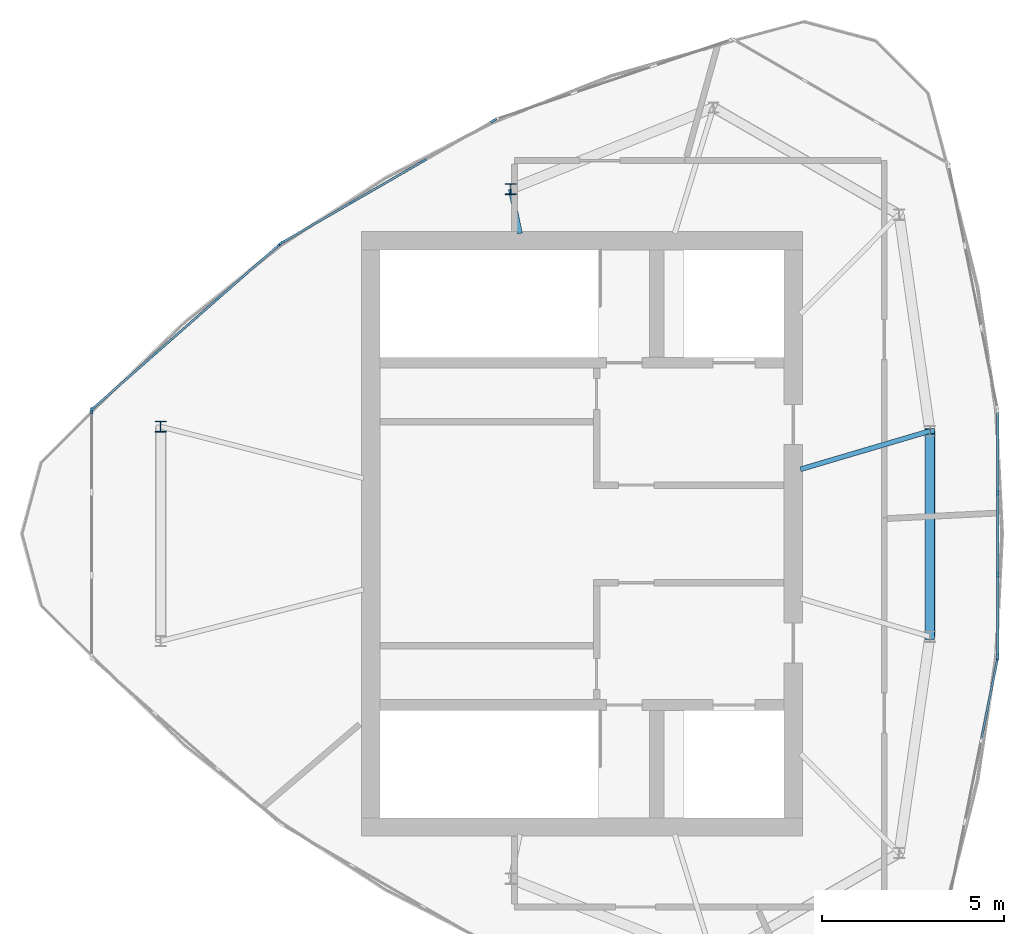
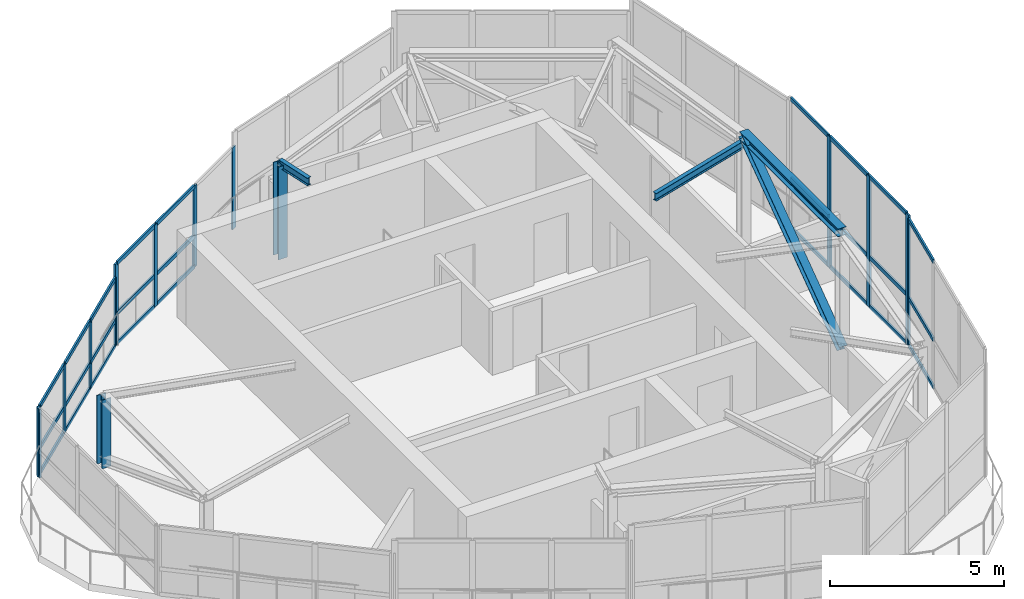
# One storey, part 3 of 9: 46 members, 5 elements without a shape of their own.
"""IFC4 building model written with IfcOpenShell, lengths in metres."""

from ifc_helpers import new_model, si_unit, direction, frame, origin, origin_2d, place, context, subcontext, project, spatial, rectangle, i_section, extrude, source, transform, mapped, material, layer, layer_set, material_profile, profile_set, type_object, element, aggregate, save


model = new_model("IFC4")

# Units and contexts
model_context = context("Model", 3, precision=1e-05, world=origin(), true_north=direction((0.0, 1.0)))
body_context = subcontext(model_context, "Body", "Model", "MODEL_VIEW")
ifc_project = project(units=[si_unit("LENGTHUNIT", "METRE"), si_unit("AREAUNIT", "SQUARE_METRE"), si_unit("VOLUMEUNIT", "CUBIC_METRE"), si_unit("PLANEANGLEUNIT", "RADIAN"), si_unit("MASSUNIT", "GRAM", prefix="KILO")], contexts=[model_context])

# Site, building, storey
site_placement = place(None, origin())
site = spatial("IfcSite", under=ifc_project, at=site_placement, CompositionType="ELEMENT")
building_placement = place(site_placement, origin())
building = spatial("IfcBuilding", under=site, at=building_placement, Name="Qafzar Sky-Pleat Residences", CompositionType="ELEMENT")
storey_placement = place(building_placement, frame((0.0, 0.0, 274.699951171875)))
storey = spatial("IfcBuildingStorey", under=building, at=storey_placement, Name="L81 Crown", CompositionType="ELEMENT", Elevation=274.699951171875)

# Members
ifc_material_1 = material(Name="Steel S355", Category="steel")
ifc_material_profile_1 = material_profile(ifc_material_1, i_section(OverallWidth=0.280029296875, OverallDepth=0.280029296875, WebThickness=0.010498046875, FlangeThickness=0.01806640625, FilletRadius=0.02392578125, at=origin_2d()), Name="HEB 280")
ifc_profile_set_1 = profile_set([ifc_material_profile_1], Name="Steel S355")
member_type_1 = type_object("IfcMemberType", Name="MEM-CROWN-RING", PredefinedType="PURLIN", material=ifc_profile_set_1)
shared_shape_1 = source(origin(), body_context, "Body", "SweptSolid", [
    extrude(i_section(OverallWidth=0.280029296875, OverallDepth=0.280029296875, WebThickness=0.010498046875, FlangeThickness=0.01806640625, FilletRadius=0.02392578125, at=origin_2d()), origin(), (0.0, 0.0, 1.0), 5.64697265625),
])
member_1_placement = place(storey_placement, frame((39.905029296875, 23.176513671875, 4.266845703125), z_axis=(0.0, 1.0, 0.0), x_axis=(-1.0, 0.0, 0.0)))
element("IfcMember", 1, at=member_1_placement, inside=storey, type_object=member_type_1, Name="L81 Crown CROWN FRAME Ring Beam 7", PredefinedType="PURLIN", context=body_context, shape_type="MappedRepresentation", body=[
    mapped(shared_shape_1, transform((0.0, 0.0, 0.0), x_axis=(1.0, 0.0, 0.0), y_axis=(0.0, 1.0, 0.0), z_axis=(0.0, 0.0, 1.0), scale=1.0)),
])
ifc_material_2 = material(Name="Steel S460", Category="steel")
ifc_material_profile_2 = material_profile(ifc_material_2, i_section(OverallWidth=0.300048828125, OverallDepth=0.300048828125, WebThickness=0.010986328125, FlangeThickness=0.01904296875, FilletRadius=0.027099609375, at=origin_2d()), Name="HEB 300")
ifc_profile_set_2 = profile_set([ifc_material_profile_2], Name="Steel S460")
member_type_2 = type_object("IfcMemberType", Name="MEM-CROWN-RIB", PredefinedType="CHORD", material=ifc_profile_set_2)
shared_shape_2 = source(origin(), body_context, "Body", "SweptSolid", [
    extrude(i_section(OverallWidth=0.300048828125, OverallDepth=0.300048828125, WebThickness=0.010986328125, FlangeThickness=0.01904296875, FilletRadius=0.027099609375, at=origin_2d()), origin(), (0.0, 0.0, 1.0), 2.408447265625),
])
member_2_placement = place(storey_placement, frame((18.77783203125, 28.9443359375, 0.0), z_axis=(0.0, 0.0, 1.0), x_axis=(1.0, 0.0, 0.0)))
element("IfcMember", 2, at=member_2_placement, inside=storey, type_object=member_type_2, Name="L81 Crown CROWN FRAME Inclined Rib 1", PredefinedType="CHORD", context=body_context, shape_type="MappedRepresentation", body=[
    mapped(shared_shape_2, transform((0.0, 0.0, 0.0), x_axis=(1.0, 0.0, 0.0), y_axis=(0.0, 1.0, 0.0), z_axis=(0.0, 0.0, 1.0), scale=1.0)),
])
shared_shape_3 = source(origin(), body_context, "Body", "SweptSolid", [
    extrude(i_section(OverallWidth=0.300048828125, OverallDepth=0.300048828125, WebThickness=0.010986328125, FlangeThickness=0.01904296875, FilletRadius=0.027099609375, at=origin_2d()), origin(), (0.0, 0.0, 1.0), 3.249755859375),
])
member_3_placement = place(storey_placement, frame((28.392578125, 35.47021484375, 0.0), z_axis=(0.0, 0.0, 1.0), x_axis=(1.0, 0.0, 0.0)))
element("IfcMember", 3, at=member_3_placement, inside=storey, type_object=member_type_2, Name="L81 Crown CROWN FRAME Inclined Rib 11", PredefinedType="CHORD", context=body_context, shape_type="MappedRepresentation", body=[
    mapped(shared_shape_3, transform((0.0, 0.0, 0.0), x_axis=(1.0, 0.0, 0.0), y_axis=(0.0, 1.0, 0.0), z_axis=(0.0, 0.0, 1.0), scale=1.0)),
])
ifc_material_profile_3 = material_profile(ifc_material_1, i_section(OverallWidth=0.135009765625, OverallDepth=0.27001953125, WebThickness=0.006591796875, FlangeThickness=0.01025390625, FilletRadius=0.014892578125, at=origin_2d()), Name="IPE 270")
ifc_profile_set_3 = profile_set([ifc_material_profile_3], Name="Steel S355")
member_type_3 = type_object("IfcMemberType", Name="MEM-CROWN-TRIM", PredefinedType="PURLIN", material=ifc_profile_set_3)
shared_shape_4 = source(origin(), body_context, "Body", "SweptSolid", [
    extrude(i_section(OverallWidth=0.135009765625, OverallDepth=0.27001953125, WebThickness=0.006591796875, FlangeThickness=0.01025390625, FilletRadius=0.014892578125, at=origin_2d()), origin(), (0.0, 0.0, 1.0), 1.24609375),
])
member_4_placement = place(storey_placement, frame((28.392578125, 35.47021484375, 3.2646484375), z_axis=(0.202404745782, -0.979301954907, 0.0), x_axis=(0.979301954907, 0.202404745782, 0.0)))
element("IfcMember", 4, at=member_4_placement, inside=storey, type_object=member_type_3, Name="L81 Crown CROWN FRAME Radial Purlin 11", PredefinedType="PURLIN", context=body_context, shape_type="MappedRepresentation", body=[
    mapped(shared_shape_4, transform((0.0, 0.0, 0.0), x_axis=(1.0, 0.0, 0.0), y_axis=(0.0, 1.0, 0.0), z_axis=(0.0, 0.0, 1.0), scale=1.0)),
])
shared_shape_5 = source(origin(), body_context, "Body", "SweptSolid", [
    extrude(i_section(OverallWidth=0.135009765625, OverallDepth=0.27001953125, WebThickness=0.006591796875, FlangeThickness=0.01025390625, FilletRadius=0.014892578125, at=origin_2d()), origin(), (0.0, 0.0, 1.0), 3.706787109375),
])
member_5_placement = place(storey_placement, frame((39.905029296875, 28.823486328125, 3.9609375), z_axis=(-0.959001843601, -0.283399830576, 0.0), x_axis=(0.283399830576, -0.959001843601, 0.0)))
element("IfcMember", 5, at=member_5_placement, inside=storey, type_object=member_type_3, Name="L81 Crown CROWN FRAME Radial Purlin 8", PredefinedType="PURLIN", context=body_context, shape_type="MappedRepresentation", body=[
    mapped(shared_shape_5, transform((0.0, 0.0, 0.0), x_axis=(1.0, 0.0, 0.0), y_axis=(0.0, 1.0, 0.0), z_axis=(0.0, 0.0, 1.0), scale=1.0)),
])
ifc_material_profile_4 = material_profile(ifc_material_1, i_section(OverallWidth=0.260009765625, OverallDepth=0.260009765625, WebThickness=0.010009765625, FlangeThickness=0.017578125, FilletRadius=0.02392578125, at=origin_2d()), Name="HEB 260")
ifc_profile_set_4 = profile_set([ifc_material_profile_4], Name="Steel S355")
member_type_4 = type_object("IfcMemberType", Name="MEM-CROWN-DIAG", PredefinedType="BRACE", material=ifc_profile_set_4)
shared_shape_6 = source(origin(), body_context, "Body", "SweptSolid", [
    extrude(i_section(OverallWidth=0.260009765625, OverallDepth=0.260009765625, WebThickness=0.010009765625, FlangeThickness=0.017578125, FilletRadius=0.02392578125, at=origin_2d()), origin(), (0.0, 0.0, 1.0), 6.96484375),
])
member_6_placement = place(storey_placement, frame((39.905029296875, 23.176513671875, 0.199951171875), z_axis=(0.0, 0.810779043398, 0.585352323636), x_axis=(-1.0, 0.0, 0.0)))
element("IfcMember", 6, at=member_6_placement, inside=storey, type_object=member_type_4, Name="L81 Crown CROWN FRAME Wind Brace 7", PredefinedType="BRACE", context=body_context, shape_type="MappedRepresentation", body=[
    mapped(shared_shape_6, transform((0.0, 0.0, 0.0), x_axis=(1.0, 0.0, 0.0), y_axis=(0.0, 1.0, 0.0), z_axis=(0.0, 0.0, 1.0), scale=1.0)),
])

# Curtain wall, member
ifc_material_3 = material(Name="Anodised bronze aluminium framing", Category="aluminium")
ifc_layer = layer(ifc_material_3, 0.179931640625)
ifc_layer_set = layer_set([ifc_layer], Name="Anodised bronze aluminium framing")
curtain_wall_type = type_object("IfcCurtainWallType", Name="CW-SYS-06", PredefinedType="NOTDEFINED", material=ifc_layer_set)
curtain_wall_1_placement = place(storey_placement, origin())
curtain_wall_1 = element("IfcCurtainWall", 7, at=curtain_wall_1_placement, inside=storey, type_object=curtain_wall_type, Name="L81 Crown CW-06 Curtain Wall CW-CROWN-06-01", PredefinedType="NOTDEFINED")
ifc_material_4 = material(Name="Anodised bronze aluminium", Category="aluminium")
ifc_material_profile_5 = material_profile(ifc_material_4, rectangle(XDim=0.06005859375, YDim=0.179931640625, at=origin_2d()), Name="ALU MULLION 60x180")
ifc_profile_set_5 = profile_set([ifc_material_profile_5], Name="Anodised bronze aluminium")
member_type_5 = type_object("IfcMemberType", Name="CWM-06", PredefinedType="MULLION", material=ifc_profile_set_5)
shared_shape_7 = source(origin(), body_context, "Body", "SweptSolid", [
    extrude(rectangle(XDim=0.06005859375, YDim=0.179931640625, at=origin_2d()), origin(), (0.0, 0.0, 1.0), 2.403076171875),
])
member_7_placement = place(storey_placement, frame((16.885498046875, 29.385498046875, 0.0), z_axis=(0.0, 0.0, 1.0), x_axis=(1.0, 0.0, 0.0)))
member_7 = element("IfcMember", 8, at=member_7_placement, type_object=member_type_5, Name="CW-06 mullion 1", PredefinedType="MULLION", context=body_context, shape_type="MappedRepresentation", body=[
    mapped(shared_shape_7, transform((0.0, 0.0, 0.0), x_axis=(1.0, 0.0, 0.0), y_axis=(0.0, 1.0, 0.0), z_axis=(0.0, 0.0, 1.0), scale=1.0)),
])
aggregate(curtain_wall_1, [member_7])

# Curtain wall, members
curtain_wall_2_placement = place(storey_placement, origin())
curtain_wall_2 = element("IfcCurtainWall", 9, at=curtain_wall_2_placement, inside=storey, type_object=curtain_wall_type, Name="L81 Crown CW-06 Curtain Wall CW-CROWN-06-12", PredefinedType="NOTDEFINED")
member_8_placement = place(storey_placement, frame((22.05615234375, 33.959716796875, 0.0), z_axis=(0.0, 0.0, 1.0), x_axis=(0.660137360136, -0.7511449033, 0.0)))
member_8 = element("IfcMember", 10, at=member_8_placement, type_object=member_type_5, Name="CW-06 mullion 1", PredefinedType="MULLION", context=body_context, shape_type="MappedRepresentation", body=[
    mapped(shared_shape_7, transform((0.0, 0.0, 0.0), x_axis=(1.0, 0.0, 0.0), y_axis=(0.0, 1.0, 0.0), z_axis=(0.0, 0.0, 1.0), scale=1.0)),
])
member_9_placement = place(storey_placement, frame((20.34765625, 32.458251953125, 0.0), z_axis=(0.0, 0.0, 1.0), x_axis=(0.660137360136, -0.7511449033, 0.0)))
member_9 = element("IfcMember", 11, at=member_9_placement, type_object=member_type_5, Name="CW-06 mullion 2", PredefinedType="MULLION", context=body_context, shape_type="MappedRepresentation", body=[
    mapped(shared_shape_7, transform((0.0, 0.0, 0.0), x_axis=(1.0, 0.0, 0.0), y_axis=(0.0, 1.0, 0.0), z_axis=(0.0, 0.0, 1.0), scale=1.0)),
])
member_10_placement = place(storey_placement, frame((18.61669921875, 30.93701171875, 0.0), z_axis=(0.0, 0.0, 1.0), x_axis=(0.660137360136, -0.7511449033, 0.0)))
member_10 = element("IfcMember", 12, at=member_10_placement, type_object=member_type_5, Name="CW-06 mullion 3", PredefinedType="MULLION", context=body_context, shape_type="MappedRepresentation", body=[
    mapped(shared_shape_7, transform((0.0, 0.0, 0.0), x_axis=(1.0, 0.0, 0.0), y_axis=(0.0, 1.0, 0.0), z_axis=(0.0, 0.0, 1.0), scale=1.0)),
])
member_11_placement = place(storey_placement, frame((16.908203125, 29.435302734375, 0.0), z_axis=(0.0, 0.0, 1.0), x_axis=(0.660137360136, -0.7511449033, 0.0)))
member_11 = element("IfcMember", 13, at=member_11_placement, type_object=member_type_5, Name="CW-06 mullion 4", PredefinedType="MULLION", context=body_context, shape_type="MappedRepresentation", body=[
    mapped(shared_shape_7, transform((0.0, 0.0, 0.0), x_axis=(1.0, 0.0, 0.0), y_axis=(0.0, 1.0, 0.0), z_axis=(0.0, 0.0, 1.0), scale=1.0)),
])
ifc_material_profile_6 = material_profile(ifc_material_4, rectangle(XDim=0.06005859375, YDim=0.135009765625, at=origin_2d()), Name="ALU TRANSOM 60x135")
ifc_profile_set_6 = profile_set([ifc_material_profile_6], Name="Anodised bronze aluminium")
member_type_6 = type_object("IfcMemberType", Name="CWT-06", PredefinedType="USERDEFINED", material=ifc_profile_set_6)
shared_shape_8 = source(origin(), body_context, "Body", "SweptSolid", [
    extrude(rectangle(XDim=0.06005859375, YDim=0.135009765625, at=origin_2d()), origin(), (0.0, 0.0, 1.0), 2.214599609375),
])
member_12_placement = place(storey_placement, frame((18.59423828125, 30.917236328125, 0.030029296875), z_axis=(-0.751168211321, -0.660110837891, 0.0), x_axis=(0.660110837891, -0.751168211321, 0.0)))
member_12 = element("IfcMember", 14, at=member_12_placement, type_object=member_type_6, Name="CW-06 transom 3.1", ObjectType="TRANSOM", PredefinedType="USERDEFINED", context=body_context, shape_type="MappedRepresentation", body=[
    mapped(shared_shape_8, transform((0.0, 0.0, 0.0), x_axis=(1.0, 0.0, 0.0), y_axis=(0.0, 1.0, 0.0), z_axis=(0.0, 0.0, 1.0), scale=1.0)),
])
member_13_placement = place(storey_placement, frame((18.59423828125, 30.917236328125, 0.9130859375), z_axis=(-0.751168211321, -0.660110837891, 0.0), x_axis=(0.660110837891, -0.751168211321, 0.0)))
member_13 = element("IfcMember", 15, at=member_13_placement, type_object=member_type_6, Name="CW-06 transom 3.2", ObjectType="TRANSOM", PredefinedType="USERDEFINED", context=body_context, shape_type="MappedRepresentation", body=[
    mapped(shared_shape_8, transform((0.0, 0.0, 0.0), x_axis=(1.0, 0.0, 0.0), y_axis=(0.0, 1.0, 0.0), z_axis=(0.0, 0.0, 1.0), scale=1.0)),
])
member_14_placement = place(storey_placement, frame((18.59423828125, 30.917236328125, 2.373046875), z_axis=(-0.751168211321, -0.660110837891, 0.0), x_axis=(0.660110837891, -0.751168211321, 0.0)))
member_14 = element("IfcMember", 16, at=member_14_placement, type_object=member_type_6, Name="CW-06 transom 3.3", ObjectType="TRANSOM", PredefinedType="USERDEFINED", context=body_context, shape_type="MappedRepresentation", body=[
    mapped(shared_shape_8, transform((0.0, 0.0, 0.0), x_axis=(1.0, 0.0, 0.0), y_axis=(0.0, 1.0, 0.0), z_axis=(0.0, 0.0, 1.0), scale=1.0)),
])
shared_shape_9 = source(origin(), body_context, "Body", "SweptSolid", [
    extrude(rectangle(XDim=0.06005859375, YDim=0.135009765625, at=origin_2d()), origin(), (0.0, 0.0, 1.0), 2.24462890625),
])
member_15_placement = place(storey_placement, frame((20.3251953125, 32.4384765625, 0.030029296875), z_axis=(-0.751159995362, -0.660120187062, 0.0), x_axis=(0.660120187062, -0.751159995362, 0.0)))
member_15 = element("IfcMember", 17, at=member_15_placement, type_object=member_type_6, Name="CW-06 transom 2.1", ObjectType="TRANSOM", PredefinedType="USERDEFINED", context=body_context, shape_type="MappedRepresentation", body=[
    mapped(shared_shape_9, transform((0.0, 0.0, 0.0), x_axis=(1.0, 0.0, 0.0), y_axis=(0.0, 1.0, 0.0), z_axis=(0.0, 0.0, 1.0), scale=1.0)),
])
member_16_placement = place(storey_placement, frame((20.3251953125, 32.4384765625, 0.9130859375), z_axis=(-0.751159995362, -0.660120187062, 0.0), x_axis=(0.660120187062, -0.751159995362, 0.0)))
member_16 = element("IfcMember", 18, at=member_16_placement, type_object=member_type_6, Name="CW-06 transom 2.2", ObjectType="TRANSOM", PredefinedType="USERDEFINED", context=body_context, shape_type="MappedRepresentation", body=[
    mapped(shared_shape_9, transform((0.0, 0.0, 0.0), x_axis=(1.0, 0.0, 0.0), y_axis=(0.0, 1.0, 0.0), z_axis=(0.0, 0.0, 1.0), scale=1.0)),
])
member_17_placement = place(storey_placement, frame((20.3251953125, 32.4384765625, 2.373046875), z_axis=(-0.751159995362, -0.660120187062, 0.0), x_axis=(0.660120187062, -0.751159995362, 0.0)))
member_17 = element("IfcMember", 19, at=member_17_placement, type_object=member_type_6, Name="CW-06 transom 2.3", ObjectType="TRANSOM", PredefinedType="USERDEFINED", context=body_context, shape_type="MappedRepresentation", body=[
    mapped(shared_shape_9, transform((0.0, 0.0, 0.0), x_axis=(1.0, 0.0, 0.0), y_axis=(0.0, 1.0, 0.0), z_axis=(0.0, 0.0, 1.0), scale=1.0)),
])

curtain_wall_3_placement = place(storey_placement, origin())
curtain_wall_3 = element("IfcCurtainWall", 20, at=curtain_wall_3_placement, inside=storey, type_object=curtain_wall_type, Name="L81 Crown CW-06 Curtain Wall CW-CROWN-06-06", PredefinedType="NOTDEFINED")
shared_shape_10 = source(origin(), body_context, "Body", "SweptSolid", [
    extrude(rectangle(XDim=0.06005859375, YDim=0.135009765625, at=origin_2d()), origin(), (0.0, 0.0, 1.0), 2.21435546875),
])
member_18_placement = place(storey_placement, frame((41.324951171875, 20.3798828125, 0.030029296875), z_axis=(0.196137337295, 0.980576435021, 0.0), x_axis=(-0.980576435021, 0.196137337295, 0.0)))
member_18 = element("IfcMember", 21, at=member_18_placement, type_object=member_type_6, Name="CW-06 transom 3.1", ObjectType="TRANSOM", PredefinedType="USERDEFINED", context=body_context, shape_type="MappedRepresentation", body=[
    mapped(shared_shape_10, transform((0.0, 0.0, 0.0), x_axis=(1.0, 0.0, 0.0), y_axis=(0.0, 1.0, 0.0), z_axis=(0.0, 0.0, 1.0), scale=1.0)),
])
member_19_placement = place(storey_placement, frame((41.324951171875, 20.3798828125, 1.695556640625), z_axis=(0.196137337295, 0.980576435021, 0.0), x_axis=(-0.980576435021, 0.196137337295, 0.0)))
member_19 = element("IfcMember", 22, at=member_19_placement, type_object=member_type_6, Name="CW-06 transom 3.2", ObjectType="TRANSOM", PredefinedType="USERDEFINED", context=body_context, shape_type="MappedRepresentation", body=[
    mapped(shared_shape_10, transform((0.0, 0.0, 0.0), x_axis=(1.0, 0.0, 0.0), y_axis=(0.0, 1.0, 0.0), z_axis=(0.0, 0.0, 1.0), scale=1.0)),
])
member_20_placement = place(storey_placement, frame((41.324951171875, 20.3798828125, 4.431640625), z_axis=(0.196137337295, 0.980576435021, 0.0), x_axis=(-0.980576435021, 0.196137337295, 0.0)))
member_20 = element("IfcMember", 23, at=member_20_placement, type_object=member_type_6, Name="CW-06 transom 3.3", ObjectType="TRANSOM", PredefinedType="USERDEFINED", context=body_context, shape_type="MappedRepresentation", body=[
    mapped(shared_shape_10, transform((0.0, 0.0, 0.0), x_axis=(1.0, 0.0, 0.0), y_axis=(0.0, 1.0, 0.0), z_axis=(0.0, 0.0, 1.0), scale=1.0)),
])

# Member
member_21_placement = place(storey_placement, frame((22.03369140625, 33.93994140625, 0.030029296875), z_axis=(-0.751120169137, -0.660165503125, 0.0), x_axis=(0.660165503125, -0.751120169137, 0.0)))
member_21 = element("IfcMember", 24, at=member_21_placement, type_object=member_type_6, Name="CW-06 transom 1.1", ObjectType="TRANSOM", PredefinedType="USERDEFINED", context=body_context, shape_type="MappedRepresentation", body=[
    mapped(shared_shape_10, transform((0.0, 0.0, 0.0), x_axis=(1.0, 0.0, 0.0), y_axis=(0.0, 1.0, 0.0), z_axis=(0.0, 0.0, 1.0), scale=1.0)),
])

member_22_placement = place(storey_placement, frame((22.03369140625, 33.93994140625, 0.9130859375), z_axis=(-0.751120169137, -0.660165503125, 0.0), x_axis=(0.660165503125, -0.751120169137, 0.0)))
member_22 = element("IfcMember", 25, at=member_22_placement, type_object=member_type_6, Name="CW-06 transom 1.2", ObjectType="TRANSOM", PredefinedType="USERDEFINED", context=body_context, shape_type="MappedRepresentation", body=[
    mapped(shared_shape_10, transform((0.0, 0.0, 0.0), x_axis=(1.0, 0.0, 0.0), y_axis=(0.0, 1.0, 0.0), z_axis=(0.0, 0.0, 1.0), scale=1.0)),
])

member_23_placement = place(storey_placement, frame((22.03369140625, 33.93994140625, 2.373046875), z_axis=(-0.751120169137, -0.660165503125, 0.0), x_axis=(0.660165503125, -0.751120169137, 0.0)))
member_23 = element("IfcMember", 26, at=member_23_placement, type_object=member_type_6, Name="CW-06 transom 1.3", ObjectType="TRANSOM", PredefinedType="USERDEFINED", context=body_context, shape_type="MappedRepresentation", body=[
    mapped(shared_shape_10, transform((0.0, 0.0, 0.0), x_axis=(1.0, 0.0, 0.0), y_axis=(0.0, 1.0, 0.0), z_axis=(0.0, 0.0, 1.0), scale=1.0)),
])

aggregate(curtain_wall_2, [member_8, member_9, member_10, member_11, member_21, member_22, member_23, member_15, member_16, member_17, member_12, member_13, member_14])

# Curtain wall, members
curtain_wall_4_placement = place(storey_placement, origin())
curtain_wall_4 = element("IfcCurtainWall", 27, at=curtain_wall_4_placement, inside=storey, type_object=curtain_wall_type, Name="L81 Crown CW-06 Curtain Wall CW-CROWN-06-11", PredefinedType="NOTDEFINED")
shared_shape_11 = source(origin(), body_context, "Body", "SweptSolid", [
    extrude(rectangle(XDim=0.06005859375, YDim=0.179931640625, at=origin_2d()), origin(), (0.0, 0.0, 1.0), 2.857421875),
])
member_24_placement = place(storey_placement, frame((27.924072265625, 37.354248046875, 0.0), z_axis=(0.0, 0.0, 1.0), x_axis=(0.499995696498, -0.866027888398, 0.0)))
member_24 = element("IfcMember", 28, at=member_24_placement, type_object=member_type_5, Name="CW-06 mullion 1", PredefinedType="MULLION", context=body_context, shape_type="MappedRepresentation", body=[
    mapped(shared_shape_11, transform((0.0, 0.0, 0.0), x_axis=(1.0, 0.0, 0.0), y_axis=(0.0, 1.0, 0.0), z_axis=(0.0, 0.0, 1.0), scale=1.0)),
])
member_25_placement = place(storey_placement, frame((25.992919921875, 36.239501953125, 0.0), z_axis=(0.0, 0.0, 1.0), x_axis=(0.499995696498, -0.866027888398, 0.0)))
member_25 = element("IfcMember", 29, at=member_25_placement, type_object=member_type_5, Name="CW-06 mullion 2", PredefinedType="MULLION", context=body_context, shape_type="MappedRepresentation", body=[
    mapped(shared_shape_11, transform((0.0, 0.0, 0.0), x_axis=(1.0, 0.0, 0.0), y_axis=(0.0, 1.0, 0.0), z_axis=(0.0, 0.0, 1.0), scale=1.0)),
])
member_26_placement = place(storey_placement, frame((24.035888671875, 35.109619140625, 0.0), z_axis=(0.0, 0.0, 1.0), x_axis=(0.499995696498, -0.866027888398, 0.0)))
member_26 = element("IfcMember", 30, at=member_26_placement, type_object=member_type_5, Name="CW-06 mullion 3", PredefinedType="MULLION", context=body_context, shape_type="MappedRepresentation", body=[
    mapped(shared_shape_11, transform((0.0, 0.0, 0.0), x_axis=(1.0, 0.0, 0.0), y_axis=(0.0, 1.0, 0.0), z_axis=(0.0, 0.0, 1.0), scale=1.0)),
])
member_27_placement = place(storey_placement, frame((22.104736328125, 33.99462890625, 0.0), z_axis=(0.0, 0.0, 1.0), x_axis=(0.499995696498, -0.866027888398, 0.0)))
member_27 = element("IfcMember", 31, at=member_27_placement, type_object=member_type_5, Name="CW-06 mullion 4", PredefinedType="MULLION", context=body_context, shape_type="MappedRepresentation", body=[
    mapped(shared_shape_11, transform((0.0, 0.0, 0.0), x_axis=(1.0, 0.0, 0.0), y_axis=(0.0, 1.0, 0.0), z_axis=(0.0, 0.0, 1.0), scale=1.0)),
])
shared_shape_12 = source(origin(), body_context, "Body", "SweptSolid", [
    extrude(rectangle(XDim=0.06005859375, YDim=0.135009765625, at=origin_2d()), origin(), (0.0, 0.0, 1.0), 2.169677734375),
])
member_28_placement = place(storey_placement, frame((24.009765625, 35.094482421875, 0.030029296875), z_axis=(-0.865990693744, -0.500060114735, 0.0), x_axis=(0.500060114735, -0.865990693744, 0.0)))
member_28 = element("IfcMember", 32, at=member_28_placement, type_object=member_type_6, Name="CW-06 transom 3.1", ObjectType="TRANSOM", PredefinedType="USERDEFINED", context=body_context, shape_type="MappedRepresentation", body=[
    mapped(shared_shape_12, transform((0.0, 0.0, 0.0), x_axis=(1.0, 0.0, 0.0), y_axis=(0.0, 1.0, 0.0), z_axis=(0.0, 0.0, 1.0), scale=1.0)),
])
member_29_placement = place(storey_placement, frame((24.009765625, 35.094482421875, 1.0859375), z_axis=(-0.865990693744, -0.500060114735, 0.0), x_axis=(0.500060114735, -0.865990693744, 0.0)))
member_29 = element("IfcMember", 33, at=member_29_placement, type_object=member_type_6, Name="CW-06 transom 3.2", ObjectType="TRANSOM", PredefinedType="USERDEFINED", context=body_context, shape_type="MappedRepresentation", body=[
    mapped(shared_shape_12, transform((0.0, 0.0, 0.0), x_axis=(1.0, 0.0, 0.0), y_axis=(0.0, 1.0, 0.0), z_axis=(0.0, 0.0, 1.0), scale=1.0)),
])
member_30_placement = place(storey_placement, frame((24.009765625, 35.094482421875, 2.827392578125), z_axis=(-0.865990693744, -0.500060114735, 0.0), x_axis=(0.500060114735, -0.865990693744, 0.0)))
member_30 = element("IfcMember", 34, at=member_30_placement, type_object=member_type_6, Name="CW-06 transom 3.3", ObjectType="TRANSOM", PredefinedType="USERDEFINED", context=body_context, shape_type="MappedRepresentation", body=[
    mapped(shared_shape_12, transform((0.0, 0.0, 0.0), x_axis=(1.0, 0.0, 0.0), y_axis=(0.0, 1.0, 0.0), z_axis=(0.0, 0.0, 1.0), scale=1.0)),
])
shared_shape_13 = source(origin(), body_context, "Body", "SweptSolid", [
    extrude(rectangle(XDim=0.06005859375, YDim=0.135009765625, at=origin_2d()), origin(), (0.0, 0.0, 1.0), 2.199951171875),
])
member_31_placement = place(storey_placement, frame((25.967041015625, 36.224365234375, 0.030029296875), z_axis=(-0.86605622881, -0.499946605688, 0.0), x_axis=(0.499946605688, -0.86605622881, 0.0)))
member_31 = element("IfcMember", 35, at=member_31_placement, type_object=member_type_6, Name="CW-06 transom 2.1", ObjectType="TRANSOM", PredefinedType="USERDEFINED", context=body_context, shape_type="MappedRepresentation", body=[
    mapped(shared_shape_13, transform((0.0, 0.0, 0.0), x_axis=(1.0, 0.0, 0.0), y_axis=(0.0, 1.0, 0.0), z_axis=(0.0, 0.0, 1.0), scale=1.0)),
])
member_32_placement = place(storey_placement, frame((25.967041015625, 36.224365234375, 1.0859375), z_axis=(-0.86605622881, -0.499946605688, 0.0), x_axis=(0.499946605688, -0.86605622881, 0.0)))
member_32 = element("IfcMember", 36, at=member_32_placement, type_object=member_type_6, Name="CW-06 transom 2.2", ObjectType="TRANSOM", PredefinedType="USERDEFINED", context=body_context, shape_type="MappedRepresentation", body=[
    mapped(shared_shape_13, transform((0.0, 0.0, 0.0), x_axis=(1.0, 0.0, 0.0), y_axis=(0.0, 1.0, 0.0), z_axis=(0.0, 0.0, 1.0), scale=1.0)),
])
member_33_placement = place(storey_placement, frame((25.967041015625, 36.224365234375, 2.827392578125), z_axis=(-0.86605622881, -0.499946605688, 0.0), x_axis=(0.499946605688, -0.86605622881, 0.0)))
member_33 = element("IfcMember", 37, at=member_33_placement, type_object=member_type_6, Name="CW-06 transom 2.3", ObjectType="TRANSOM", PredefinedType="USERDEFINED", context=body_context, shape_type="MappedRepresentation", body=[
    mapped(shared_shape_13, transform((0.0, 0.0, 0.0), x_axis=(1.0, 0.0, 0.0), y_axis=(0.0, 1.0, 0.0), z_axis=(0.0, 0.0, 1.0), scale=1.0)),
])
aggregate(curtain_wall_4, [member_24, member_25, member_26, member_27, member_31, member_32, member_33, member_28, member_29, member_30])

curtain_wall_5_placement = place(storey_placement, origin())
curtain_wall_5 = element("IfcCurtainWall", 38, at=curtain_wall_5_placement, inside=storey, type_object=curtain_wall_type, Name="L81 Crown CW-06 Curtain Wall CW-CROWN-06-07", PredefinedType="NOTDEFINED")
shared_shape_14 = source(origin(), body_context, "Body", "SweptSolid", [
    extrude(rectangle(XDim=0.06005859375, YDim=0.135009765625, at=origin_2d()), origin(), (0.0, 0.0, 1.0), 2.169921875),
])
member_34_placement = place(storey_placement, frame((41.77099609375, 22.670166015625, 0.030029296875), z_axis=(0.0, 1.0, 0.0), x_axis=(-1.0, 0.0, 0.0)))
member_34 = element("IfcMember", 39, at=member_34_placement, type_object=member_type_6, Name="CW-06 transom 1.1", ObjectType="TRANSOM", PredefinedType="USERDEFINED", context=body_context, shape_type="MappedRepresentation", body=[
    mapped(shared_shape_14, transform((0.0, 0.0, 0.0), x_axis=(1.0, 0.0, 0.0), y_axis=(0.0, 1.0, 0.0), z_axis=(0.0, 0.0, 1.0), scale=1.0)),
])
member_35_placement = place(storey_placement, frame((41.77099609375, 22.670166015625, 1.740478515625), z_axis=(0.0, 1.0, 0.0), x_axis=(-1.0, 0.0, 0.0)))
member_35 = element("IfcMember", 40, at=member_35_placement, type_object=member_type_6, Name="CW-06 transom 1.2", ObjectType="TRANSOM", PredefinedType="USERDEFINED", context=body_context, shape_type="MappedRepresentation", body=[
    mapped(shared_shape_14, transform((0.0, 0.0, 0.0), x_axis=(1.0, 0.0, 0.0), y_axis=(0.0, 1.0, 0.0), z_axis=(0.0, 0.0, 1.0), scale=1.0)),
])
member_36_placement = place(storey_placement, frame((41.77099609375, 22.670166015625, 4.55029296875), z_axis=(0.0, 1.0, 0.0), x_axis=(-1.0, 0.0, 0.0)))
member_36 = element("IfcMember", 41, at=member_36_placement, type_object=member_type_6, Name="CW-06 transom 1.3", ObjectType="TRANSOM", PredefinedType="USERDEFINED", context=body_context, shape_type="MappedRepresentation", body=[
    mapped(shared_shape_14, transform((0.0, 0.0, 0.0), x_axis=(1.0, 0.0, 0.0), y_axis=(0.0, 1.0, 0.0), z_axis=(0.0, 0.0, 1.0), scale=1.0)),
])
member_37_placement = place(storey_placement, frame((41.77099609375, 27.159912109375, 0.030029296875), z_axis=(0.0, 1.0, 0.0), x_axis=(-1.0, 0.0, 0.0)))
member_37 = element("IfcMember", 42, at=member_37_placement, type_object=member_type_6, Name="CW-06 transom 3.1", ObjectType="TRANSOM", PredefinedType="USERDEFINED", context=body_context, shape_type="MappedRepresentation", body=[
    mapped(shared_shape_14, transform((0.0, 0.0, 0.0), x_axis=(1.0, 0.0, 0.0), y_axis=(0.0, 1.0, 0.0), z_axis=(0.0, 0.0, 1.0), scale=1.0)),
])
member_38_placement = place(storey_placement, frame((41.77099609375, 27.159912109375, 1.740478515625), z_axis=(0.0, 1.0, 0.0), x_axis=(-1.0, 0.0, 0.0)))
member_38 = element("IfcMember", 43, at=member_38_placement, type_object=member_type_6, Name="CW-06 transom 3.2", ObjectType="TRANSOM", PredefinedType="USERDEFINED", context=body_context, shape_type="MappedRepresentation", body=[
    mapped(shared_shape_14, transform((0.0, 0.0, 0.0), x_axis=(1.0, 0.0, 0.0), y_axis=(0.0, 1.0, 0.0), z_axis=(0.0, 0.0, 1.0), scale=1.0)),
])
member_39_placement = place(storey_placement, frame((41.77099609375, 27.159912109375, 4.55029296875), z_axis=(0.0, 1.0, 0.0), x_axis=(-1.0, 0.0, 0.0)))
member_39 = element("IfcMember", 44, at=member_39_placement, type_object=member_type_6, Name="CW-06 transom 3.3", ObjectType="TRANSOM", PredefinedType="USERDEFINED", context=body_context, shape_type="MappedRepresentation", body=[
    mapped(shared_shape_14, transform((0.0, 0.0, 0.0), x_axis=(1.0, 0.0, 0.0), y_axis=(0.0, 1.0, 0.0), z_axis=(0.0, 0.0, 1.0), scale=1.0)),
])

# Member
shared_shape_15 = source(origin(), body_context, "Body", "SweptSolid", [
    extrude(rectangle(XDim=0.06005859375, YDim=0.179931640625, at=origin_2d()), origin(), (0.0, 0.0, 1.0), 4.461669921875),
])
member_40_placement = place(storey_placement, frame((41.76513671875, 22.580810546875, 0.0), z_axis=(0.0, 0.0, 1.0), x_axis=(-0.980580675691, 0.196116135138, 0.0)))
member_40 = element("IfcMember", 45, at=member_40_placement, type_object=member_type_5, Name="CW-06 mullion 4", PredefinedType="MULLION", context=body_context, shape_type="MappedRepresentation", body=[
    mapped(shared_shape_15, transform((0.0, 0.0, 0.0), x_axis=(1.0, 0.0, 0.0), y_axis=(0.0, 1.0, 0.0), z_axis=(0.0, 0.0, 1.0), scale=1.0)),
])

aggregate(curtain_wall_3, [member_40, member_18, member_19, member_20])

shared_shape_16 = source(origin(), body_context, "Body", "SweptSolid", [
    extrude(rectangle(XDim=0.06005859375, YDim=0.179931640625, at=origin_2d()), origin(), (0.0, 0.0, 1.0), 4.580322265625),
])
member_41_placement = place(storey_placement, frame((41.77099609375, 22.64013671875, 0.0), z_axis=(0.0, 0.0, 1.0), x_axis=(-1.0, 0.0, 0.0)))
member_41 = element("IfcMember", 46, at=member_41_placement, type_object=member_type_5, Name="CW-06 mullion 1", PredefinedType="MULLION", context=body_context, shape_type="MappedRepresentation", body=[
    mapped(shared_shape_16, transform((0.0, 0.0, 0.0), x_axis=(1.0, 0.0, 0.0), y_axis=(0.0, 1.0, 0.0), z_axis=(0.0, 0.0, 1.0), scale=1.0)),
])

member_42_placement = place(storey_placement, frame((41.77099609375, 24.8701171875, 0.0), z_axis=(0.0, 0.0, 1.0), x_axis=(-1.0, 0.0, 0.0)))
member_42 = element("IfcMember", 47, at=member_42_placement, type_object=member_type_5, Name="CW-06 mullion 2", PredefinedType="MULLION", context=body_context, shape_type="MappedRepresentation", body=[
    mapped(shared_shape_16, transform((0.0, 0.0, 0.0), x_axis=(1.0, 0.0, 0.0), y_axis=(0.0, 1.0, 0.0), z_axis=(0.0, 0.0, 1.0), scale=1.0)),
])

member_43_placement = place(storey_placement, frame((41.77099609375, 27.1298828125, 0.0), z_axis=(0.0, 0.0, 1.0), x_axis=(-1.0, 0.0, 0.0)))
member_43 = element("IfcMember", 48, at=member_43_placement, type_object=member_type_5, Name="CW-06 mullion 3", PredefinedType="MULLION", context=body_context, shape_type="MappedRepresentation", body=[
    mapped(shared_shape_16, transform((0.0, 0.0, 0.0), x_axis=(1.0, 0.0, 0.0), y_axis=(0.0, 1.0, 0.0), z_axis=(0.0, 0.0, 1.0), scale=1.0)),
])

shared_shape_17 = source(origin(), body_context, "Body", "SweptSolid", [
    extrude(rectangle(XDim=0.06005859375, YDim=0.135009765625, at=origin_2d()), origin(), (0.0, 0.0, 1.0), 2.19970703125),
])
member_44_placement = place(storey_placement, frame((41.77099609375, 24.900146484375, 0.030029296875), z_axis=(0.0, 1.0, 0.0), x_axis=(-1.0, 0.0, 0.0)))
member_44 = element("IfcMember", 49, at=member_44_placement, type_object=member_type_6, Name="CW-06 transom 2.1", ObjectType="TRANSOM", PredefinedType="USERDEFINED", context=body_context, shape_type="MappedRepresentation", body=[
    mapped(shared_shape_17, transform((0.0, 0.0, 0.0), x_axis=(1.0, 0.0, 0.0), y_axis=(0.0, 1.0, 0.0), z_axis=(0.0, 0.0, 1.0), scale=1.0)),
])

member_45_placement = place(storey_placement, frame((41.77099609375, 24.900146484375, 1.740478515625), z_axis=(0.0, 1.0, 0.0), x_axis=(-1.0, 0.0, 0.0)))
member_45 = element("IfcMember", 50, at=member_45_placement, type_object=member_type_6, Name="CW-06 transom 2.2", ObjectType="TRANSOM", PredefinedType="USERDEFINED", context=body_context, shape_type="MappedRepresentation", body=[
    mapped(shared_shape_17, transform((0.0, 0.0, 0.0), x_axis=(1.0, 0.0, 0.0), y_axis=(0.0, 1.0, 0.0), z_axis=(0.0, 0.0, 1.0), scale=1.0)),
])

member_46_placement = place(storey_placement, frame((41.77099609375, 24.900146484375, 4.55029296875), z_axis=(0.0, 1.0, 0.0), x_axis=(-1.0, 0.0, 0.0)))
member_46 = element("IfcMember", 51, at=member_46_placement, type_object=member_type_6, Name="CW-06 transom 2.3", ObjectType="TRANSOM", PredefinedType="USERDEFINED", context=body_context, shape_type="MappedRepresentation", body=[
    mapped(shared_shape_17, transform((0.0, 0.0, 0.0), x_axis=(1.0, 0.0, 0.0), y_axis=(0.0, 1.0, 0.0), z_axis=(0.0, 0.0, 1.0), scale=1.0)),
])

aggregate(curtain_wall_5, [member_41, member_42, member_43, member_34, member_35, member_36, member_44, member_45, member_46, member_37, member_38, member_39])

save(model, "model.ifc")
